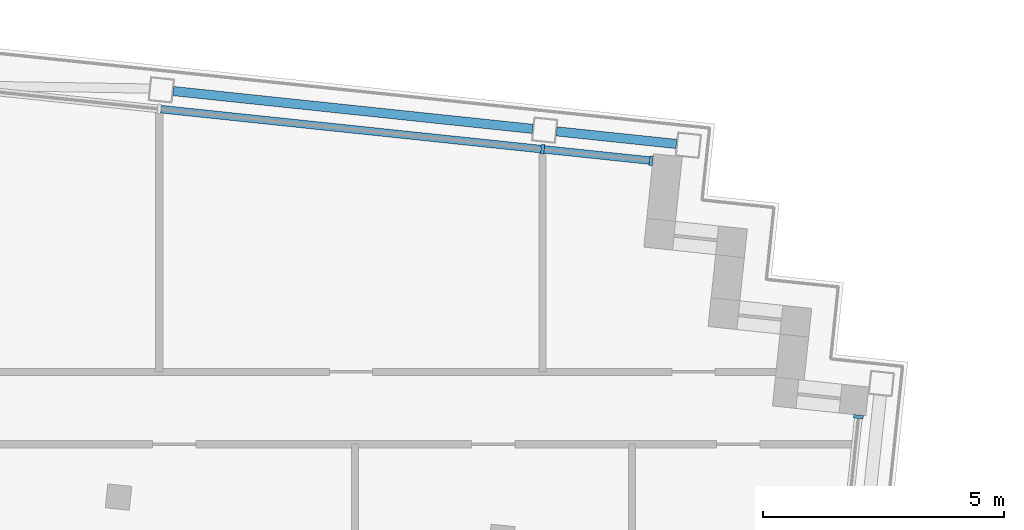
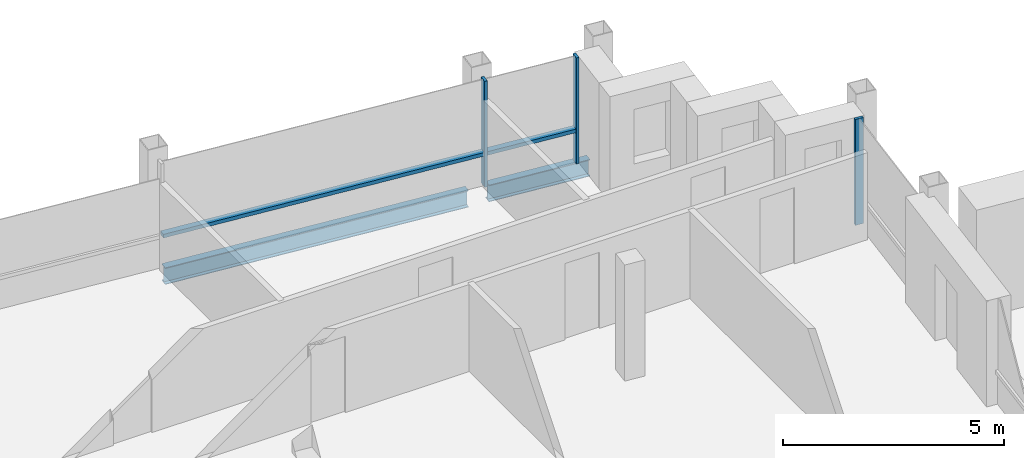
# One storey, part 6 of 17: 5 members, 2 beams, 2 elements without a shape of their own.
"""IFC4 building model written with IfcOpenShell, lengths in metres."""

from ifc_helpers import new_model, si_unit, direction, frame, origin, origin_2d, place, context, subcontext, project, spatial, rectangle, i_section, extrude, material, material_profile, profile_set, type_object, element, aggregate, save


model = new_model("IFC4")

# Units and contexts
model_context = context("Model", 3, precision=1e-05, world=origin(), true_north=direction((0.0, 1.0)))
body_context = subcontext(model_context, "Body", "Model", "MODEL_VIEW")
ifc_project = project(units=[si_unit("LENGTHUNIT", "METRE"), si_unit("AREAUNIT", "SQUARE_METRE"), si_unit("VOLUMEUNIT", "CUBIC_METRE"), si_unit("PLANEANGLEUNIT", "RADIAN"), si_unit("MASSUNIT", "GRAM", prefix="KILO")], contexts=[model_context])

# Site, building, storey
site_placement = place(None, origin())
site = spatial("IfcSite", under=ifc_project, at=site_placement, CompositionType="ELEMENT")
building_placement = place(site_placement, origin())
building = spatial("IfcBuilding", under=site, at=building_placement, Name="Vidyagriha Tower", CompositionType="ELEMENT")
storey_placement = place(building_placement, frame((0.0, 0.0, 262.699951171875)))
storey = spatial("IfcBuildingStorey", under=building, at=storey_placement, Name="L68", CompositionType="ELEMENT", Elevation=262.699951171875)

# Beams
ifc_material_1 = material(Name="Steel ASTM A992 Grade 50", Category="steel")
ifc_material_profile_1 = material_profile(ifc_material_1, i_section(OverallWidth=0.19189453125, OverallDepth=0.46240234375, WebThickness=0.010498046875, FlangeThickness=0.017578125, at=origin_2d()), Name="W18X60")
ifc_profile_set_1 = profile_set([ifc_material_profile_1], Name="Steel ASTM A992 Grade 50")
beam_type = type_object("IfcBeamType", Name="Edge beam W18X60", PredefinedType="SPANDREL", material=ifc_profile_set_1)
beam_1_placement = place(storey_placement, frame((18.130615234375, 19.472412109375, -0.510986328125), z_axis=(0.994519000353, -0.104556003834, 0.0), x_axis=(0.104556003834, 0.994519000353, 0.0)))
element("IfcBeam", 1, at=beam_1_placement, inside=storey, type_object=beam_type, Name="st-beam-L68-NE19", PredefinedType="SPANDREL", context=body_context, shape_type="SweptSolid", body=[
    extrude(i_section(OverallWidth=0.19189453125, OverallDepth=0.46240234375, WebThickness=0.010498046875, FlangeThickness=0.017578125, at=origin_2d()), origin(), (0.0, 0.0, 1.0), 7.5),
])
beam_2_placement = place(storey_placement, frame((26.0869140625, 18.635986328125, -0.510986328125), z_axis=(0.994524701544, -0.104501760842, 0.0), x_axis=(0.104501760842, 0.994524701544, 0.0)))
element("IfcBeam", 2, at=beam_2_placement, inside=storey, type_object=beam_type, Name="st-beam-L68-NE20", PredefinedType="SPANDREL", context=body_context, shape_type="SweptSolid", body=[
    extrude(i_section(OverallWidth=0.19189453125, OverallDepth=0.46240234375, WebThickness=0.010498046875, FlangeThickness=0.017578125, at=origin_2d()), origin(), (0.0, 0.0, 1.0), 2.499755859375),
])

# Curtain wall, members
ifc_material_2 = material(Name="Aluminium and glass curtain wall", Category="aluminium")
curtain_wall_type = type_object("IfcCurtainWallType", Name="Dwelling skin unitised curtain wall", PredefinedType="USERDEFINED", material=ifc_material_2)
curtain_wall_1_placement = place(storey_placement, origin())
curtain_wall_1 = element("IfcCurtainWall", 3, at=curtain_wall_1_placement, inside=storey, type_object=curtain_wall_type, Name="CW1 dwelling skin", ObjectType="UNITISED", PredefinedType="USERDEFINED")
ifc_material_3 = material(Name="Aluminium black anodised", Category="aluminium")
ifc_material_profile_2 = material_profile(ifc_material_3, rectangle(XDim=0.199951171875, YDim=0.070068359375, at=origin_2d()), Name="Mullion 70x200 black aluminium")
ifc_profile_set_2 = profile_set([ifc_material_profile_2], Name="Aluminium black anodised")
member_type_1 = type_object("IfcMemberType", Name="Mullion 70x200 black aluminium", PredefinedType="MULLION", material=ifc_profile_set_2)
member_1_placement = place(storey_placement, frame((28.049072265625, 18.027587890625, 0.0), z_axis=(0.0, 0.0, 1.0), x_axis=(-0.104528852722, -0.994521854435, 0.0)))
member_1 = element("IfcMember", 4, at=member_1_placement, type_object=member_type_1, Name="CW1 mullion 1", PredefinedType="MULLION", context=body_context, shape_type="SweptSolid", body=[
    extrude(rectangle(XDim=0.199951171875, YDim=0.070068359375, at=origin_2d()), origin(), (0.0, 0.0, 1.0), 2.920166015625),
])
member_2_placement = place(storey_placement, frame((25.79638671875, 18.264404296875, 0.0), z_axis=(0.0, 0.0, 1.0), x_axis=(-0.104528852722, -0.994521854435, 0.0)))
member_2 = element("IfcMember", 5, at=member_2_placement, type_object=member_type_1, Name="CW1 mullion 2", PredefinedType="MULLION", context=body_context, shape_type="SweptSolid", body=[
    extrude(rectangle(XDim=0.199951171875, YDim=0.070068359375, at=origin_2d()), origin(), (0.0, 0.0, 1.0), 2.920166015625),
])

# Curtain wall, member
curtain_wall_2_placement = place(storey_placement, origin())
curtain_wall_2 = element("IfcCurtainWall", 6, at=curtain_wall_2_placement, inside=storey, type_object=curtain_wall_type, Name="CW1 dwelling skin", ObjectType="UNITISED", PredefinedType="USERDEFINED")
member_3_placement = place(storey_placement, frame((32.35205078125, 12.713623046875, 0.0), z_axis=(0.0, 0.0, 1.0), x_axis=(-0.994523205451, 0.10451599791, 0.0)))
member_3 = element("IfcMember", 7, at=member_3_placement, type_object=member_type_1, Name="CW1 mullion 2", PredefinedType="MULLION", context=body_context, shape_type="SweptSolid", body=[
    extrude(rectangle(XDim=0.199951171875, YDim=0.070068359375, at=origin_2d()), origin(), (0.0, 0.0, 1.0), 2.920166015625),
])
aggregate(curtain_wall_2, [member_3])

# Member
ifc_material_4 = material(Name="Aluminium black anodised", Category="aluminium")
ifc_material_profile_3 = material_profile(ifc_material_4, rectangle(XDim=0.159912109375, YDim=0.10009765625, at=origin_2d()), Name="Transom 100x160 black aluminium")
ifc_profile_set_3 = profile_set([ifc_material_profile_3], Name="Aluminium black anodised")
member_type_2 = type_object("IfcMemberType", Name="Transom 100x160 black aluminium", PredefinedType="USERDEFINED", material=ifc_profile_set_3)
member_4_placement = place(storey_placement, frame((28.01416015625, 18.03125, 0.900146484375), z_axis=(-0.994518853465, 0.104557400991, 0.0), x_axis=(-0.104557400991, -0.994518853465, 0.0)))
member_4 = element("IfcMember", 8, at=member_4_placement, type_object=member_type_2, Name="CW1 transom 1.1", ObjectType="TRANSOM", PredefinedType="USERDEFINED", context=body_context, shape_type="SweptSolid", body=[
    extrude(rectangle(XDim=0.159912109375, YDim=0.10009765625, at=origin_2d()), origin(), (0.0, 0.0, 1.0), 2.19482421875),
])

member_5_placement = place(storey_placement, frame((25.761474609375, 18.26806640625, 0.900146484375), z_axis=(-0.994522478205, 0.104522917794, 0.0), x_axis=(-0.104522917794, -0.994522478205, 0.0)))
member_5 = element("IfcMember", 9, at=member_5_placement, type_object=member_type_2, Name="CW1 transom 2.1", ObjectType="TRANSOM", PredefinedType="USERDEFINED", context=body_context, shape_type="SweptSolid", body=[
    extrude(rectangle(XDim=0.159912109375, YDim=0.10009765625, at=origin_2d()), origin(), (0.0, 0.0, 1.0), 7.929931640625),
])

aggregate(curtain_wall_1, [member_1, member_2, member_4, member_5])

save(model, "model.ifc")
